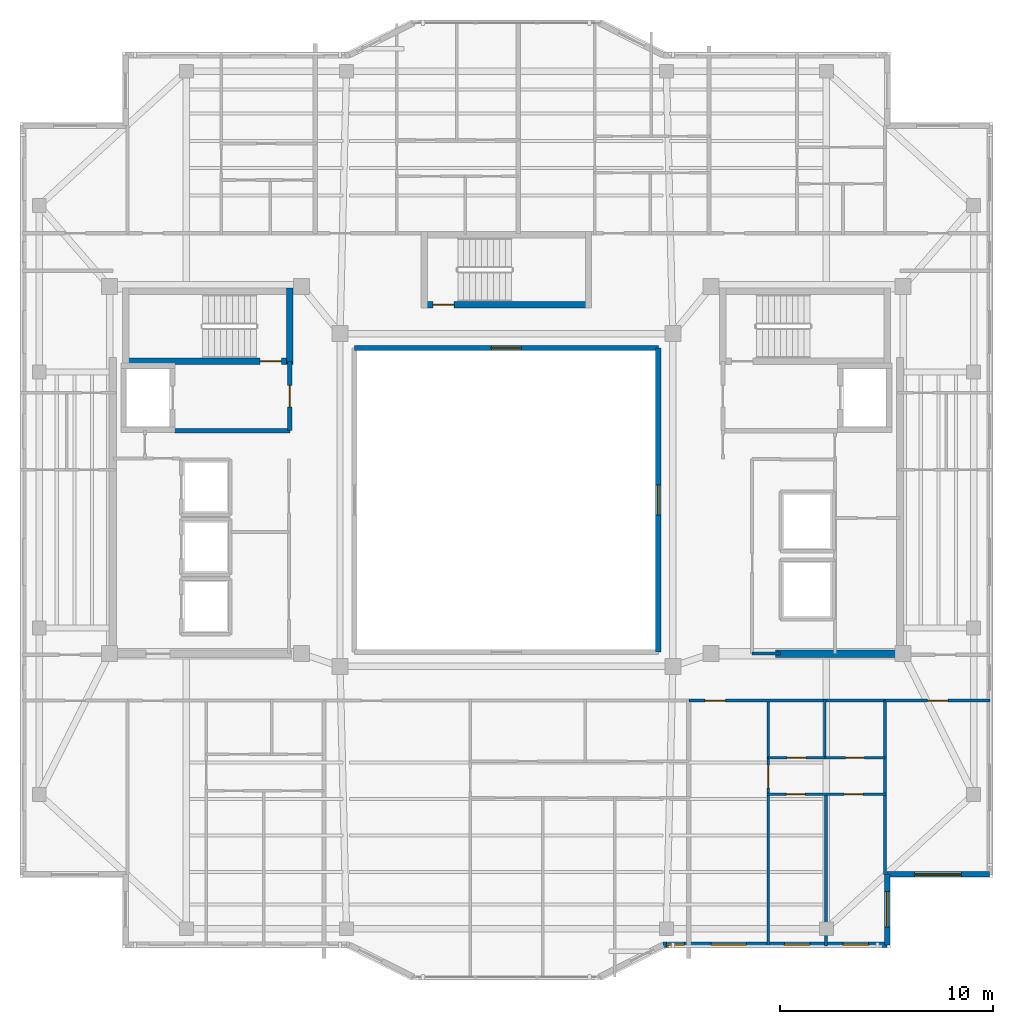
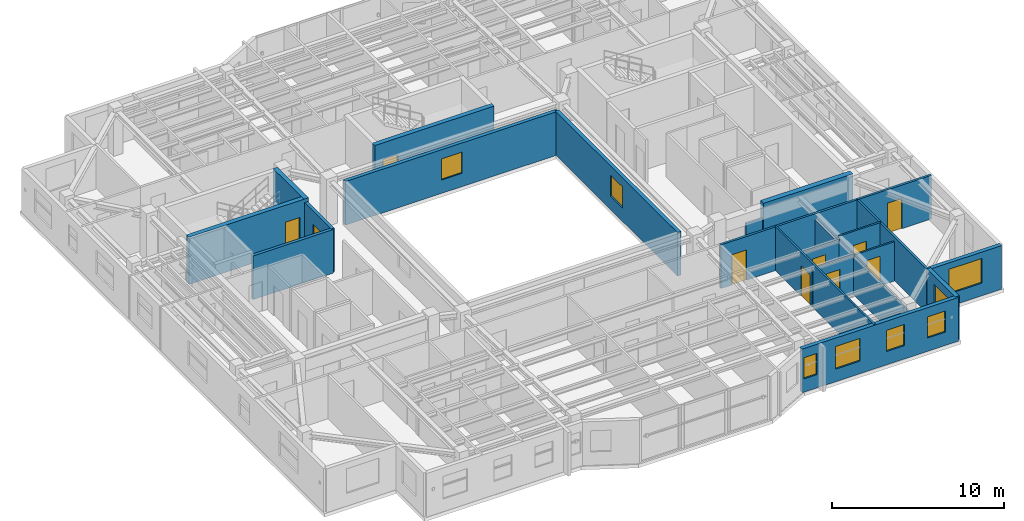
# One storey, part 8 of 15: 21 walls, 10 doors, 8 windows, 18 openings.
"""IFC4 building model written with IfcOpenShell, lengths in metres."""

from ifc_helpers import new_model, si_unit, direction, frame, frame_2d, origin, place, context, subcontext, project, spatial, rectangle, extrude, material, layer, layer_set, type_object, element, fill, save


model = new_model("IFC4")

# Units and contexts
model_context = context("Model", 3, precision=1e-05, world=origin(), true_north=direction((0.0, 1.0)))
body_context = subcontext(model_context, "Body", "Model", "MODEL_VIEW")
ifc_project = project(units=[si_unit("LENGTHUNIT", "METRE"), si_unit("AREAUNIT", "SQUARE_METRE"), si_unit("VOLUMEUNIT", "CUBIC_METRE"), si_unit("PLANEANGLEUNIT", "RADIAN"), si_unit("MASSUNIT", "GRAM", prefix="KILO")], contexts=[model_context])

# Site, building, storey
site_placement = place(None, origin())
site = spatial("IfcSite", under=ifc_project, at=site_placement, CompositionType="ELEMENT")
building_placement = place(site_placement, origin())
building = spatial("IfcBuilding", under=site, at=building_placement, Name="Tarnavaz Court Tower", CompositionType="ELEMENT")
storey_placement = place(building_placement, frame((0.0, 0.0, 241.5)))
storey = spatial("IfcBuildingStorey", under=building, at=storey_placement, Name="L65", CompositionType="ELEMENT", Elevation=241.5)

# Wall, opening, door
ifc_material_1 = material(Name="Concrete C50/60", Category="concrete")
ifc_layer_1 = layer(ifc_material_1, 0.300048828125)
ifc_layer_set_1 = layer_set([ifc_layer_1], Name="Concrete C50/60")
wall_type_1 = type_object("IfcWallType", Name="WL-CORE-300-C50", PredefinedType="SHEAR", material=ifc_layer_set_1)
wall_1_placement = place(storey_placement, frame((-18.0, 6.5, 0.0), z_axis=(0.0, 0.0, 1.0), x_axis=(1.0, 0.0, 0.0)))
wall_1 = element("IfcWall", 1, at=wall_1_placement, inside=storey, type_object=wall_type_1, Name="L65 West Stair Core Wall 002", PredefinedType="SHEAR", context=body_context, shape_type="SweptSolid", body=[
    extrude(rectangle(XDim=8.0, YDim=0.300048828125, at=frame_2d((4.0, 0.0))), origin(), (0.0, 0.0, 1.0), 3.35009765625),
])
opening_1_placement = place(wall_1_placement, frame((6.449951171875, 0.0, 0.0)))
opening_1 = element("IfcOpeningElement", 2, at=opening_1_placement, cuts=wall_1, Name="Opening D01", PredefinedType="OPENING", context=body_context, shape_type="SweptSolid", body=[
    extrude(rectangle(XDim=1.0, YDim=2.14990234375, at=frame_2d((0.5, 1.074951171875))), frame((0.0, 0.159912109375, 0.0), z_axis=(0.0, -1.0, 0.0), x_axis=(1.0, 0.0, 0.0)), (0.0, 0.0, 1.0), 0.320068359375),
])
ifc_material_2 = material(Name="Fire-Rated Hardwood Timber Core", Category="wood")
door_type_1 = type_object("IfcDoorType", Name="DR-FD90-1000", OperationType="NOTDEFINED", PredefinedType="DOOR", material=ifc_material_2)
door_1_placement = place(opening_1_placement, origin())
door_1 = element("IfcDoor", 3, at=door_1_placement, inside=storey, type_object=door_type_1, Name="L65 Stair ST-W1 Exit Door", OperationType="SINGLE_SWING_LEFT", OverallHeight=2.14990234375, OverallWidth=1.0, PredefinedType="DOOR", context=body_context, shape_type="SweptSolid", body=[
    extrude(rectangle(XDim=1.0, YDim=2.14990234375, at=frame_2d((0.5, 1.074951171875))), frame((0.0, 0.02490234375, 0.0), z_axis=(0.0, -1.0, 0.0), x_axis=(1.0, 0.0, 0.0)), (0.0, 0.0, 1.0), 0.050048828125),
])
fill(opening_1, door_1)

# Wall
wall_2_placement = place(storey_placement, frame((-10.14990234375, 6.35009765625, 0.0), z_axis=(0.0, 0.0, 1.0), x_axis=(0.0, 1.0, 0.0)))
element("IfcWall", 4, at=wall_2_placement, inside=storey, type_object=wall_type_1, Name="L65 West Stair Core Wall 004", PredefinedType="SHEAR", context=body_context, shape_type="SweptSolid", body=[
    extrude(rectangle(XDim=3.58984375, YDim=0.300048828125, at=frame_2d((1.794921875, 0.0))), origin(), (0.0, 0.0, 1.0), 3.35009765625),
])

# Wall, opening, door
wall_3_placement = place(storey_placement, frame((-4.0, 9.14990234375, 0.0), z_axis=(0.0, 0.0, 1.0), x_axis=(1.0, 0.0, 0.0)))
wall_3 = element("IfcWall", 5, at=wall_3_placement, inside=storey, type_object=wall_type_1, Name="L65 North Stair Core Wall 010", PredefinedType="SHEAR", context=body_context, shape_type="SweptSolid", body=[
    extrude(rectangle(XDim=8.0, YDim=0.300048828125, at=frame_2d((4.0, 0.0))), origin(), (0.0, 0.0, 1.0), 3.35009765625),
])
opening_2_placement = place(wall_3_placement, frame((0.550048828125, 0.0, 0.0)))
opening_2 = element("IfcOpeningElement", 6, at=opening_2_placement, cuts=wall_3, Name="Opening D01", PredefinedType="OPENING", context=body_context, shape_type="SweptSolid", body=[
    extrude(rectangle(XDim=1.0, YDim=2.14990234375, at=frame_2d((0.5, 1.074951171875))), frame((0.0, 0.159912109375, 0.0), z_axis=(0.0, -1.0, 0.0), x_axis=(1.0, 0.0, 0.0)), (0.0, 0.0, 1.0), 0.320068359375),
])
door_2_placement = place(opening_2_placement, origin())
door_2 = element("IfcDoor", 7, at=door_2_placement, inside=storey, type_object=door_type_1, Name="L65 Stair ST-N1 Exit Door", OperationType="SINGLE_SWING_LEFT", OverallHeight=2.14990234375, OverallWidth=1.0, PredefinedType="DOOR", context=body_context, shape_type="SweptSolid", body=[
    extrude(rectangle(XDim=1.0, YDim=2.14990234375, at=frame_2d((0.5, 1.074951171875))), frame((0.0, 0.02490234375, 0.0), z_axis=(0.0, -1.0, 0.0), x_axis=(1.0, 0.0, 0.0)), (0.0, 0.0, 1.0), 0.050048828125),
])
fill(opening_2, door_2)

# Wall
ifc_layer_2 = layer(ifc_material_1, 0.35009765625)
ifc_layer_set_2 = layer_set([ifc_layer_2], Name="Concrete C50/60")
wall_type_2 = type_object("IfcWallType", Name="WL-CORE-350-C50", PredefinedType="SHEAR", material=ifc_layer_set_2)
wall_4_placement = place(storey_placement, frame((12.625, -7.199951171875, 0.0), z_axis=(0.0, 0.0, 1.0), x_axis=(1.0, 0.0, 0.0)))
element("IfcWall", 8, at=wall_4_placement, inside=storey, type_object=wall_type_2, Name="L65 East Core South Shear Wall 048", PredefinedType="SHEAR", context=body_context, shape_type="SweptSolid", body=[
    extrude(rectangle(XDim=6.0, YDim=0.35009765625, at=frame_2d((3.0, 0.0))), origin(), (0.0, 0.0, 1.0), 3.35009765625),
])

# Wall, opening, window
ifc_material_3 = material(Name="Precast Concrete C40/50", Category="concrete")
ifc_layer_3 = layer(ifc_material_3, 0.260009765625)
ifc_layer_set_3 = layer_set([ifc_layer_3], Name="Precast Concrete C40/50")
wall_type_3 = type_object("IfcWallType", Name="WL-EXT-260", PredefinedType="SOLIDWALL", material=ifc_layer_set_3)
wall_5_placement = place(storey_placement, frame((22.64990234375, -17.550048828125, 0.0), z_axis=(0.0, 0.0, 1.0), x_axis=(-1.0, 0.0, 0.0)))
wall_5 = element("IfcWall", 9, at=wall_5_placement, inside=storey, type_object=wall_type_3, Name="L65 Exterior Terracotta Facade Wall 13", PredefinedType="SOLIDWALL", context=body_context, shape_type="SweptSolid", body=[
    extrude(rectangle(XDim=4.7998046875, YDim=0.260009765625, at=frame_2d((2.39990234375, 0.0))), origin(), (0.0, 0.0, 1.0), 3.10009765625),
])
opening_3_placement = place(wall_5_placement, frame((1.3251953125, 0.0, 0.89990234375)))
opening_3 = element("IfcOpeningElement", 10, at=opening_3_placement, cuts=wall_5, Name="Opening W07", PredefinedType="OPENING", context=body_context, shape_type="SweptSolid", body=[
    extrude(rectangle(XDim=2.199951171875, YDim=1.75, at=frame_2d((1.10009765625, 0.875))), frame((0.0, 0.139892578125, 0.0), z_axis=(0.0, -1.0, 0.0), x_axis=(1.0, 0.0, 0.0)), (0.0, 0.0, 1.0), 0.280029296875),
])
ifc_material_4 = material(Name="Double-Glazed Solar Low-E Glass", Category="glass")
window_type_1 = type_object("IfcWindowType", Name="WN-APT-2200", PartitioningType="TRIPLE_PANEL_VERTICAL", PredefinedType="WINDOW", material=ifc_material_4)
window_1_placement = place(opening_3_placement, origin())
window_1 = element("IfcWindow", 11, at=window_1_placement, inside=storey, type_object=window_type_1, Name="L65 South-East Corner Reading Room Window", OverallHeight=1.75, OverallWidth=2.199951171875, PartitioningType="SINGLE_PANEL", PredefinedType="WINDOW", context=body_context, shape_type="SweptSolid", body=[
    extrude(rectangle(XDim=2.199951171875, YDim=1.75, at=frame_2d((1.10009765625, 0.875))), frame((0.0, 0.030029296875, 0.0), z_axis=(0.0, -1.0, 0.0), x_axis=(1.0, 0.0, 0.0)), (0.0, 0.0, 1.0), 0.06005859375),
])
fill(opening_3, window_1)

wall_6_placement = place(storey_placement, frame((17.85009765625, -17.550048828125, 0.0), z_axis=(0.0, 0.0, 1.0), x_axis=(0.0, -1.0, 0.0)))
wall_6 = element("IfcWall", 12, at=wall_6_placement, inside=storey, type_object=wall_type_3, Name="L65 Exterior Terracotta Facade Wall 14", PredefinedType="SOLIDWALL", context=body_context, shape_type="SweptSolid", body=[
    extrude(rectangle(XDim=3.300048828125, YDim=0.260009765625, at=frame_2d((1.64990234375, 0.0))), origin(), (0.0, 0.0, 1.0), 3.10009765625),
])
opening_4_placement = place(wall_6_placement, frame((0.8076171875, 0.0, 0.89990234375)))
opening_4 = element("IfcOpeningElement", 13, at=opening_4_placement, cuts=wall_6, Name="Opening W02", PredefinedType="OPENING", context=body_context, shape_type="SweptSolid", body=[
    extrude(rectangle(XDim=1.64990234375, YDim=1.60009765625, at=frame_2d((0.824951171875, 0.800048828125))), frame((0.0, 0.139892578125, 0.0), z_axis=(0.0, -1.0, 0.0), x_axis=(1.0, 0.0, 0.0)), (0.0, 0.0, 1.0), 0.280029296875),
])
window_type_2 = type_object("IfcWindowType", Name="WN-APT-1650", PartitioningType="DOUBLE_PANEL_VERTICAL", PredefinedType="WINDOW", material=ifc_material_4)
window_2_placement = place(opening_4_placement, origin())
window_2 = element("IfcWindow", 14, at=window_2_placement, inside=storey, type_object=window_type_2, Name="L65 Flat 06 Bedroom 2 Window", OverallHeight=1.60009765625, OverallWidth=1.64990234375, PartitioningType="SINGLE_PANEL", PredefinedType="WINDOW", context=body_context, shape_type="SweptSolid", body=[
    extrude(rectangle(XDim=1.64990234375, YDim=1.60009765625, at=frame_2d((0.824951171875, 0.800048828125))), frame((0.0, 0.030029296875, 0.0), z_axis=(0.0, -1.0, 0.0), x_axis=(1.0, 0.0, 0.0)), (0.0, 0.0, 1.0), 0.06005859375),
])
fill(opening_4, window_2)

# Wall, openings, windows
wall_7_placement = place(storey_placement, frame((17.85009765625, -20.85009765625, 0.0), z_axis=(0.0, 0.0, 1.0), x_axis=(-1.0, 0.0, 0.0)))
wall_7 = element("IfcWall", 15, at=wall_7_placement, inside=storey, type_object=wall_type_3, Name="L65 Exterior Terracotta Facade Wall 15", PredefinedType="SOLIDWALL", context=body_context, shape_type="SweptSolid", body=[
    extrude(rectangle(XDim=10.5, YDim=0.260009765625, at=frame_2d((5.25, 0.0))), origin(), (0.0, 0.0, 1.0), 3.10009765625),
])
opening_5_placement = place(wall_7_placement, frame((0.875, 0.0, 0.949951171875)))
opening_5 = element("IfcOpeningElement", 16, at=opening_5_placement, cuts=wall_7, Name="Opening W05", PredefinedType="OPENING", context=body_context, shape_type="SweptSolid", body=[
    extrude(rectangle(XDim=1.199951171875, YDim=1.5, at=frame_2d((0.60009765625, 0.75))), frame((0.0, 0.139892578125, 0.0), z_axis=(0.0, -1.0, 0.0), x_axis=(1.0, 0.0, 0.0)), (0.0, 0.0, 1.0), 0.280029296875),
])
opening_6_placement = place(wall_7_placement, frame((3.625, 0.0, 0.949951171875)))
opening_6 = element("IfcOpeningElement", 17, at=opening_6_placement, cuts=wall_7, Name="Opening W05", PredefinedType="OPENING", context=body_context, shape_type="SweptSolid", body=[
    extrude(rectangle(XDim=1.199951171875, YDim=1.5, at=frame_2d((0.60009765625, 0.75))), frame((0.0, 0.139892578125, 0.0), z_axis=(0.0, -1.0, 0.0), x_axis=(1.0, 0.0, 0.0)), (0.0, 0.0, 1.0), 0.280029296875),
])
opening_7_placement = place(wall_7_placement, frame((6.60009765625, 0.0, 0.89990234375)))
opening_7 = element("IfcOpeningElement", 18, at=opening_7_placement, cuts=wall_7, Name="Opening W02", PredefinedType="OPENING", context=body_context, shape_type="SweptSolid", body=[
    extrude(rectangle(XDim=1.64990234375, YDim=1.60009765625, at=frame_2d((0.824951171875, 0.800048828125))), frame((0.0, 0.139892578125, 0.0), z_axis=(0.0, -1.0, 0.0), x_axis=(1.0, 0.0, 0.0)), (0.0, 0.0, 1.0), 0.280029296875),
])
opening_8_placement = place(wall_7_placement, frame((9.5048828125, 0.0, 0.949951171875)))
opening_8 = element("IfcOpeningElement", 19, at=opening_8_placement, cuts=wall_7, Name="Opening W15", PredefinedType="OPENING", context=body_context, shape_type="SweptSolid", body=[
    extrude(rectangle(XDim=0.85009765625, YDim=1.5, at=frame_2d((0.425048828125, 0.75))), frame((0.0, 0.139892578125, 0.0), z_axis=(0.0, -1.0, 0.0), x_axis=(1.0, 0.0, 0.0)), (0.0, 0.0, 1.0), 0.280029296875),
])
window_type_3 = type_object("IfcWindowType", Name="WN-APT-1200", PartitioningType="SINGLE_PANEL", PredefinedType="WINDOW", material=ifc_material_4)
window_3_placement = place(opening_5_placement, origin())
window_3 = element("IfcWindow", 20, at=window_3_placement, inside=storey, type_object=window_type_3, Name="L65 Flat 06 Bedroom 2 Window", OverallHeight=1.5, OverallWidth=1.199951171875, PartitioningType="SINGLE_PANEL", PredefinedType="WINDOW", context=body_context, shape_type="SweptSolid", body=[
    extrude(rectangle(XDim=1.199951171875, YDim=1.5, at=frame_2d((0.60009765625, 0.75))), frame((0.0, 0.030029296875, 0.0), z_axis=(0.0, -1.0, 0.0), x_axis=(1.0, 0.0, 0.0)), (0.0, 0.0, 1.0), 0.06005859375),
])
fill(opening_5, window_3)
window_4_placement = place(opening_6_placement, origin())
window_4 = element("IfcWindow", 21, at=window_4_placement, inside=storey, type_object=window_type_3, Name="L65 Flat 06 Principal Bedroom Window", OverallHeight=1.5, OverallWidth=1.199951171875, PartitioningType="SINGLE_PANEL", PredefinedType="WINDOW", context=body_context, shape_type="SweptSolid", body=[
    extrude(rectangle(XDim=1.199951171875, YDim=1.5, at=frame_2d((0.60009765625, 0.75))), frame((0.0, 0.030029296875, 0.0), z_axis=(0.0, -1.0, 0.0), x_axis=(1.0, 0.0, 0.0)), (0.0, 0.0, 1.0), 0.06005859375),
])
fill(opening_6, window_4)
window_5_placement = place(opening_7_placement, origin())
window_5 = element("IfcWindow", 22, at=window_5_placement, inside=storey, type_object=window_type_2, Name="L65 Flat 06 Living and Dining Room Window", OverallHeight=1.60009765625, OverallWidth=1.64990234375, PartitioningType="SINGLE_PANEL", PredefinedType="WINDOW", context=body_context, shape_type="SweptSolid", body=[
    extrude(rectangle(XDim=1.64990234375, YDim=1.60009765625, at=frame_2d((0.824951171875, 0.800048828125))), frame((0.0, 0.030029296875, 0.0), z_axis=(0.0, -1.0, 0.0), x_axis=(1.0, 0.0, 0.0)), (0.0, 0.0, 1.0), 0.06005859375),
])
fill(opening_7, window_5)
window_type_4 = type_object("IfcWindowType", Name="WN-APT-850", PartitioningType="SINGLE_PANEL", PredefinedType="WINDOW", material=ifc_material_4)
window_6_placement = place(opening_8_placement, origin())
window_6 = element("IfcWindow", 23, at=window_6_placement, inside=storey, type_object=window_type_4, Name="L65 Flat 07 Bedroom 3 Window", OverallHeight=1.5, OverallWidth=0.85009765625, PartitioningType="SINGLE_PANEL", PredefinedType="WINDOW", context=body_context, shape_type="SweptSolid", body=[
    extrude(rectangle(XDim=0.85009765625, YDim=1.5, at=frame_2d((0.425048828125, 0.75))), frame((0.0, 0.030029296875, 0.0), z_axis=(0.0, -1.0, 0.0), x_axis=(1.0, 0.0, 0.0)), (0.0, 0.0, 1.0), 0.06005859375),
])
fill(opening_8, window_6)

# Wall, opening, door
ifc_material_5 = material(Name="Gypsum Fire-Board on Acoustic Metal Stud", Category="masonry")
ifc_layer_4 = layer(ifc_material_5, 0.14990234375)
ifc_layer_set_4 = layer_set([ifc_layer_4], Name="Gypsum Fire-Board on Acoustic Metal Stud")
wall_type_4 = type_object("IfcWallType", Name="WL-FIRE-150", PredefinedType="PARTITIONING", material=ifc_layer_set_4)
wall_8_placement = place(storey_placement, frame((8.550048828125, -9.39990234375, 0.0), z_axis=(0.0, 0.0, 1.0), x_axis=(1.0, 0.0, 0.0)))
wall_8 = element("IfcWall", 24, at=wall_8_placement, inside=storey, type_object=wall_type_4, Name="L65 SE Lobby Wall 063", PredefinedType="PARTITIONING", context=body_context, shape_type="SweptSolid", body=[
    extrude(rectangle(XDim=9.199951171875, YDim=0.14990234375, at=frame_2d((4.60009765625, 0.0))), origin(), (0.0, 0.0, 1.0), 3.10009765625),
])
opening_9_placement = place(wall_8_placement, frame((0.75, 0.0, 0.0)))
opening_9 = element("IfcOpeningElement", 25, at=opening_9_placement, cuts=wall_8, Name="Opening D06", PredefinedType="OPENING", context=body_context, shape_type="SweptSolid", body=[
    extrude(rectangle(XDim=0.9599609375, YDim=2.14990234375, at=frame_2d((0.47998046875, 1.074951171875))), frame((0.0, 0.0849609375, 0.0), z_axis=(0.0, -1.0, 0.0), x_axis=(1.0, 0.0, 0.0)), (0.0, 0.0, 1.0), 0.169921875),
])
door_type_2 = type_object("IfcDoorType", Name="DR-FD60-950", OperationType="NOTDEFINED", PredefinedType="DOOR", material=ifc_material_2)
door_3_placement = place(opening_9_placement, origin())
door_3 = element("IfcDoor", 26, at=door_3_placement, inside=storey, type_object=door_type_2, Name="L65 Flat 06 Entrance Door", OperationType="SINGLE_SWING_RIGHT", OverallHeight=2.14990234375, OverallWidth=0.9599609375, PredefinedType="DOOR", context=body_context, shape_type="SweptSolid", body=[
    extrude(rectangle(XDim=0.9599609375, YDim=2.14990234375, at=frame_2d((0.47998046875, 1.074951171875))), frame((0.0, 0.02490234375, 0.0), z_axis=(0.0, -1.0, 0.0), x_axis=(1.0, 0.0, 0.0)), (0.0, 0.0, 1.0), 0.050048828125),
])
fill(opening_9, door_3)

wall_9_placement = place(storey_placement, frame((17.75, -9.39990234375, 0.0), z_axis=(0.0, 0.0, 1.0), x_axis=(1.0, 0.0, 0.0)))
wall_9 = element("IfcWall", 27, at=wall_9_placement, inside=storey, type_object=wall_type_4, Name="L65 Interior Partition 122", PredefinedType="PARTITIONING", context=body_context, shape_type="SweptSolid", body=[
    extrude(rectangle(XDim=4.929931640625, YDim=0.14990234375, at=frame_2d((2.46484375, 0.0))), origin(), (0.0, 0.0, 1.0), 3.10009765625),
])
opening_10_placement = place(wall_9_placement, frame((1.989990234375, 0.0, 0.0)))
opening_10 = element("IfcOpeningElement", 28, at=opening_10_placement, cuts=wall_9, Name="Opening D13", PredefinedType="OPENING", context=body_context, shape_type="SweptSolid", body=[
    extrude(rectangle(XDim=0.949951171875, YDim=2.14990234375, at=frame_2d((0.47509765625, 1.074951171875))), frame((0.0, 0.0849609375, 0.0), z_axis=(0.0, -1.0, 0.0), x_axis=(1.0, 0.0, 0.0)), (0.0, 0.0, 1.0), 0.169921875),
])
ifc_material_6 = material(Name="Engineered Oak Timber", Category="wood")
door_type_3 = type_object("IfcDoorType", Name="DR-INT-950", OperationType="NOTDEFINED", PredefinedType="DOOR", material=ifc_material_6)
door_4_placement = place(opening_10_placement, origin())
door_4 = element("IfcDoor", 29, at=door_4_placement, inside=storey, type_object=door_type_3, Name="L65 SE Reading Room Door", OperationType="SINGLE_SWING_RIGHT", OverallHeight=2.14990234375, OverallWidth=0.949951171875, PredefinedType="DOOR", context=body_context, shape_type="SweptSolid", body=[
    extrude(rectangle(XDim=0.949951171875, YDim=2.14990234375, at=frame_2d((0.47509765625, 1.074951171875))), frame((0.0, 0.02490234375, 0.0), z_axis=(0.0, -1.0, 0.0), x_axis=(1.0, 0.0, 0.0)), (0.0, 0.0, 1.0), 0.050048828125),
])
fill(opening_10, door_4)

# Wall
ifc_material_7 = material(Name="Autoclaved Aerated Concrete Blockwork", Category="masonry")
ifc_layer_5 = layer(ifc_material_7, 0.199951171875)
ifc_layer_set_5 = layer_set([ifc_layer_5], Name="Autoclaved Aerated Concrete Blockwork")
wall_type_5 = type_object("IfcWallType", Name="WL-FIRE-200", PredefinedType="SOLIDWALL", material=ifc_layer_set_5)
wall_10_placement = place(storey_placement, frame((-15.550048828125, 3.25, 0.0), z_axis=(0.0, 0.0, 1.0), x_axis=(1.0, 0.0, 0.0)))
element("IfcWall", 30, at=wall_10_placement, inside=storey, type_object=wall_type_5, Name="L65 West Firefighting Lobby Wall 013", PredefinedType="SOLIDWALL", context=body_context, shape_type="SweptSolid", body=[
    extrude(rectangle(XDim=5.400146484375, YDim=0.199951171875, at=frame_2d((2.7001953125, 0.0))), origin(), (0.0, 0.0, 1.0), 3.10009765625),
])

# Wall, opening, door
wall_11_placement = place(storey_placement, frame((-10.14990234375, 3.25, 0.0), z_axis=(0.0, 0.0, 1.0), x_axis=(0.0, 1.0, 0.0)))
wall_11 = element("IfcWall", 31, at=wall_11_placement, inside=storey, type_object=wall_type_5, Name="L65 West Firefighting Lobby Wall 014", PredefinedType="SOLIDWALL", context=body_context, shape_type="SweptSolid", body=[
    extrude(rectangle(XDim=3.25, YDim=0.199951171875, at=frame_2d((1.625, 0.0))), origin(), (0.0, 0.0, 1.0), 3.10009765625),
])
opening_11_placement = place(wall_11_placement, frame((1.10009765625, 0.0, 0.0)))
opening_11 = element("IfcOpeningElement", 32, at=opening_11_placement, cuts=wall_11, Name="Opening D05", PredefinedType="OPENING", context=body_context, shape_type="SweptSolid", body=[
    extrude(rectangle(XDim=1.02001953125, YDim=2.14990234375, at=frame_2d((0.510009765625, 1.074951171875))), frame((0.0, 0.10986328125, 0.0), z_axis=(0.0, -1.0, 0.0), x_axis=(1.0, 0.0, 0.0)), (0.0, 0.0, 1.0), 0.219970703125),
])
door_type_4 = type_object("IfcDoorType", Name="DR-FD60-1000", OperationType="NOTDEFINED", PredefinedType="DOOR", material=ifc_material_2)
door_5_placement = place(opening_11_placement, origin())
door_5 = element("IfcDoor", 33, at=door_5_placement, inside=storey, type_object=door_type_4, Name="L65 West Firefighting Lobby Door", OperationType="SINGLE_SWING_RIGHT", OverallHeight=2.14990234375, OverallWidth=1.02001953125, PredefinedType="DOOR", context=body_context, shape_type="SweptSolid", body=[
    extrude(rectangle(XDim=1.02001953125, YDim=2.14990234375, at=frame_2d((0.510009765625, 1.074951171875))), frame((0.0, 0.02490234375, 0.0), z_axis=(0.0, -1.0, 0.0), x_axis=(1.0, 0.0, 0.0)), (0.0, 0.0, 1.0), 0.050048828125),
])
fill(opening_11, door_5)

ifc_material_8 = material(Name="Moisture-Resistant Gypsum Board Partition", Category="masonry")
ifc_layer_6 = layer(ifc_material_8, 0.1201171875)
ifc_layer_set_6 = layer_set([ifc_layer_6], Name="Moisture-Resistant Gypsum Board Partition")
wall_type_6 = type_object("IfcWallType", Name="WL-PART-120", PredefinedType="PARTITIONING", material=ifc_layer_set_6)
wall_12_placement = place(storey_placement, frame((12.27197265625, -20.89990234375, 0.0), z_axis=(0.0, 0.0, 1.0), x_axis=(0.0, 1.0, 0.0)))
wall_12 = element("IfcWall", 34, at=wall_12_placement, inside=storey, type_object=wall_type_6, Name="L65 Interior Partition 095", PredefinedType="PARTITIONING", context=body_context, shape_type="SweptSolid", body=[
    extrude(rectangle(XDim=11.559814453125, YDim=0.1201171875, at=frame_2d((5.77978515625, 0.0))), origin(), (0.0, 0.0, 1.0), 3.10009765625),
])
opening_12_placement = place(wall_12_placement, frame((7.39501953125, 0.0, 0.0)))
opening_12 = element("IfcOpeningElement", 35, at=opening_12_placement, cuts=wall_12, Name="Opening D12", PredefinedType="OPENING", context=body_context, shape_type="SweptSolid", body=[
    extrude(rectangle(XDim=1.080078125, YDim=2.14990234375, at=frame_2d((0.5400390625, 1.074951171875))), frame((0.0, 0.070068359375, 0.0), z_axis=(0.0, -1.0, 0.0), x_axis=(1.0, 0.0, 0.0)), (0.0, 0.0, 1.0), 0.14013671875),
])
door_type_5 = type_object("IfcDoorType", Name="DR-INT-1100", OperationType="NOTDEFINED", PredefinedType="DOOR", material=ifc_material_6)
door_6_placement = place(opening_12_placement, origin())
door_6 = element("IfcDoor", 36, at=door_6_placement, inside=storey, type_object=door_type_5, Name="L65 Flat 06 Foyer Door", OperationType="SINGLE_SWING_LEFT", OverallHeight=2.14990234375, OverallWidth=1.080078125, PredefinedType="DOOR", context=body_context, shape_type="SweptSolid", body=[
    extrude(rectangle(XDim=1.080078125, YDim=2.14990234375, at=frame_2d((0.5400390625, 1.074951171875))), frame((0.0, 0.02490234375, 0.0), z_axis=(0.0, -1.0, 0.0), x_axis=(1.0, 0.0, 0.0)), (0.0, 0.0, 1.0), 0.050048828125),
])
fill(opening_12, door_6)

wall_13_placement = place(storey_placement, frame((12.27197265625, -12.080078125, 0.0), z_axis=(0.0, 0.0, 1.0), x_axis=(1.0, 0.0, 0.0)))
wall_13 = element("IfcWall", 37, at=wall_13_placement, inside=storey, type_object=wall_type_6, Name="L65 Interior Partition 096", PredefinedType="PARTITIONING", context=body_context, shape_type="SweptSolid", body=[
    extrude(rectangle(XDim=2.655029296875, YDim=0.1201171875, at=frame_2d((1.32763671875, 0.0))), origin(), (0.0, 0.0, 1.0), 2.784912109375),
])
opening_13_placement = place(wall_13_placement, frame((0.886962890625, 0.0, 0.0)))
opening_13 = element("IfcOpeningElement", 38, at=opening_13_placement, cuts=wall_13, Name="Opening D14", PredefinedType="OPENING", context=body_context, shape_type="SweptSolid", body=[
    extrude(rectangle(XDim=0.8798828125, YDim=2.10009765625, at=frame_2d((0.43994140625, 1.050048828125))), frame((0.0, 0.070068359375, 0.0), z_axis=(0.0, -1.0, 0.0), x_axis=(1.0, 0.0, 0.0)), (0.0, 0.0, 1.0), 0.14013671875),
])
door_type_6 = type_object("IfcDoorType", Name="DR-INT-900", OperationType="NOTDEFINED", PredefinedType="DOOR", material=ifc_material_6)
door_7_placement = place(opening_13_placement, origin())
door_7 = element("IfcDoor", 39, at=door_7_placement, inside=storey, type_object=door_type_6, Name="L65 Flat 06 Kitchen Door", OperationType="SINGLE_SWING_RIGHT", OverallHeight=2.10009765625, OverallWidth=0.8798828125, PredefinedType="DOOR", context=body_context, shape_type="SweptSolid", body=[
    extrude(rectangle(XDim=0.8798828125, YDim=2.10009765625, at=frame_2d((0.43994140625, 1.050048828125))), frame((0.0, 0.02490234375, 0.0), z_axis=(0.0, -1.0, 0.0), x_axis=(1.0, 0.0, 0.0)), (0.0, 0.0, 1.0), 0.050048828125),
])
fill(opening_13, door_7)

wall_14_placement = place(storey_placement, frame((14.927001953125, -12.080078125, 0.0), z_axis=(0.0, 0.0, 1.0), x_axis=(1.0, 0.0, 0.0)))
wall_14 = element("IfcWall", 40, at=wall_14_placement, inside=storey, type_object=wall_type_6, Name="L65 Interior Partition 097", PredefinedType="PARTITIONING", context=body_context, shape_type="SweptSolid", body=[
    extrude(rectangle(XDim=2.822998046875, YDim=0.1201171875, at=frame_2d((1.41162109375, 0.0))), origin(), (0.0, 0.0, 1.0), 3.10009765625),
])
opening_14_placement = place(wall_14_placement, frame((0.971923828125, 0.0, 0.0)))
opening_14 = element("IfcOpeningElement", 41, at=opening_14_placement, cuts=wall_14, Name="Opening D14", PredefinedType="OPENING", context=body_context, shape_type="SweptSolid", body=[
    extrude(rectangle(XDim=0.8798828125, YDim=2.10009765625, at=frame_2d((0.43994140625, 1.050048828125))), frame((0.0, 0.070068359375, 0.0), z_axis=(0.0, -1.0, 0.0), x_axis=(1.0, 0.0, 0.0)), (0.0, 0.0, 1.0), 0.14013671875),
])
door_8_placement = place(opening_14_placement, origin())
door_8 = element("IfcDoor", 42, at=door_8_placement, inside=storey, type_object=door_type_6, Name="L65 Flat 06 Bathroom Door", OperationType="SINGLE_SWING_LEFT", OverallHeight=2.10009765625, OverallWidth=0.8798828125, PredefinedType="DOOR", context=body_context, shape_type="SweptSolid", body=[
    extrude(rectangle(XDim=0.8798828125, YDim=2.10009765625, at=frame_2d((0.43994140625, 1.050048828125))), frame((0.0, 0.02490234375, 0.0), z_axis=(0.0, -1.0, 0.0), x_axis=(1.0, 0.0, 0.0)), (0.0, 0.0, 1.0), 0.050048828125),
])
fill(opening_14, door_8)

# Wall, openings, doors
wall_15_placement = place(storey_placement, frame((12.2119140625, -13.7900390625, 0.0), z_axis=(0.0, 0.0, 1.0), x_axis=(1.0, 0.0, 0.0)))
wall_15 = element("IfcWall", 43, at=wall_15_placement, inside=storey, type_object=wall_type_6, Name="L65 Interior Partition 098", PredefinedType="PARTITIONING", context=body_context, shape_type="SweptSolid", body=[
    extrude(rectangle(XDim=5.59814453125, YDim=0.1201171875, at=frame_2d((2.799072265625, 0.0))), origin(), (0.0, 0.0, 1.0), 2.784912109375),
])
opening_15_placement = place(wall_15_placement, frame((0.9150390625, 0.0, 0.0)))
opening_15 = element("IfcOpeningElement", 44, at=opening_15_placement, cuts=wall_15, Name="Opening D14", PredefinedType="OPENING", context=body_context, shape_type="SweptSolid", body=[
    extrude(rectangle(XDim=0.8798828125, YDim=2.10009765625, at=frame_2d((0.43994140625, 1.050048828125))), frame((0.0, 0.070068359375, 0.0), z_axis=(0.0, -1.0, 0.0), x_axis=(1.0, 0.0, 0.0)), (0.0, 0.0, 1.0), 0.14013671875),
])
opening_16_placement = place(wall_15_placement, frame((3.6240234375, 0.0, 0.0)))
opening_16 = element("IfcOpeningElement", 45, at=opening_16_placement, cuts=wall_15, Name="Opening D14", PredefinedType="OPENING", context=body_context, shape_type="SweptSolid", body=[
    extrude(rectangle(XDim=0.8798828125, YDim=2.10009765625, at=frame_2d((0.43994140625, 1.050048828125))), frame((0.0, 0.070068359375, 0.0), z_axis=(0.0, -1.0, 0.0), x_axis=(1.0, 0.0, 0.0)), (0.0, 0.0, 1.0), 0.14013671875),
])
door_9_placement = place(opening_15_placement, origin())
door_9 = element("IfcDoor", 46, at=door_9_placement, inside=storey, type_object=door_type_6, Name="L65 Flat 06 Bedroom 1 Door", OperationType="SINGLE_SWING_RIGHT", OverallHeight=2.10009765625, OverallWidth=0.8798828125, PredefinedType="DOOR", context=body_context, shape_type="SweptSolid", body=[
    extrude(rectangle(XDim=0.8798828125, YDim=2.10009765625, at=frame_2d((0.43994140625, 1.050048828125))), frame((0.0, 0.02490234375, 0.0), z_axis=(0.0, -1.0, 0.0), x_axis=(1.0, 0.0, 0.0)), (0.0, 0.0, 1.0), 0.050048828125),
])
fill(opening_15, door_9)
door_10_placement = place(opening_16_placement, origin())
door_10 = element("IfcDoor", 47, at=door_10_placement, inside=storey, type_object=door_type_6, Name="L65 Flat 06 Bedroom 2 Door", OperationType="SINGLE_SWING_LEFT", OverallHeight=2.10009765625, OverallWidth=0.8798828125, PredefinedType="DOOR", context=body_context, shape_type="SweptSolid", body=[
    extrude(rectangle(XDim=0.8798828125, YDim=2.10009765625, at=frame_2d((0.43994140625, 1.050048828125))), frame((0.0, 0.02490234375, 0.0), z_axis=(0.0, -1.0, 0.0), x_axis=(1.0, 0.0, 0.0)), (0.0, 0.0, 1.0), 0.050048828125),
])
fill(opening_16, door_10)

# Walls
wall_16_placement = place(storey_placement, frame((14.927001953125, -12.139892578125, 0.0), z_axis=(0.0, 0.0, 1.0), x_axis=(0.0, 1.0, 0.0)))
element("IfcWall", 48, at=wall_16_placement, inside=storey, type_object=wall_type_6, Name="L65 Interior Partition 099", PredefinedType="PARTITIONING", context=body_context, shape_type="SweptSolid", body=[
    extrude(rectangle(XDim=2.7998046875, YDim=0.1201171875, at=frame_2d((1.39990234375, 0.0))), origin(), (0.0, 0.0, 1.0), 2.68505859375),
])
wall_17_placement = place(storey_placement, frame((14.98095703125, -20.89990234375, 0.0), z_axis=(0.0, 0.0, 1.0), x_axis=(0.0, 1.0, 0.0)))
element("IfcWall", 49, at=wall_17_placement, inside=storey, type_object=wall_type_6, Name="L65 Interior Partition 100", PredefinedType="PARTITIONING", context=body_context, shape_type="SweptSolid", body=[
    extrude(rectangle(XDim=7.169921875, YDim=0.1201171875, at=frame_2d((3.5849609375, 0.0))), origin(), (0.0, 0.0, 1.0), 2.68505859375),
])
ifc_material_9 = material(Name="Gypsum Plasterboard Acoustic Partition", Category="masonry")
ifc_layer_7 = layer(ifc_material_9, 0.139892578125)
ifc_layer_set_7 = layer_set([ifc_layer_7], Name="Gypsum Plasterboard Acoustic Partition")
wall_type_7 = type_object("IfcWallType", Name="WL-PART-150", PredefinedType="PARTITIONING", material=ifc_layer_set_7)
wall_18_placement = place(storey_placement, frame((11.52001953125, -7.199951171875, 0.0), z_axis=(0.0, 0.0, 1.0), x_axis=(1.0, 0.0, 0.0)))
element("IfcWall", 50, at=wall_18_placement, inside=storey, type_object=wall_type_7, Name="L65 Interior Partition 059", PredefinedType="PARTITIONING", context=body_context, shape_type="SweptSolid", body=[
    extrude(rectangle(XDim=1.330078125, YDim=0.139892578125, at=frame_2d((0.6650390625, 0.0))), origin(), (0.0, 0.0, 1.0), 2.235107421875),
])
wall_19_placement = place(storey_placement, frame((17.75, -17.550048828125, 0.0), z_axis=(0.0, 0.0, 1.0), x_axis=(0.0, 1.0, 0.0)))
element("IfcWall", 51, at=wall_19_placement, inside=storey, type_object=wall_type_7, Name="L65 Interior Partition 116", PredefinedType="PARTITIONING", context=body_context, shape_type="SweptSolid", body=[
    extrude(rectangle(XDim=8.150146484375, YDim=0.139892578125, at=frame_2d((4.0751953125, 0.0))), origin(), (0.0, 0.0, 1.0), 3.10009765625),
])

# Wall, opening, window
ifc_layer_8 = layer(ifc_material_3, 0.239990234375)
ifc_layer_set_8 = layer_set([ifc_layer_8], Name="Precast Concrete C40/50")
wall_type_8 = type_object("IfcWallType", Name="WL-WELL-240", PredefinedType="SOLIDWALL", material=ifc_layer_set_8)
wall_20_placement = place(storey_placement, frame((7.1201171875, -7.1201171875, 0.0), z_axis=(0.0, 0.0, 1.0), x_axis=(0.0, 1.0, 0.0)))
wall_20 = element("IfcWall", 52, at=wall_20_placement, inside=storey, type_object=wall_type_8, Name="L65 Badgir Light-Well Exterior Wall E", PredefinedType="SOLIDWALL", context=body_context, shape_type="SweptSolid", body=[
    extrude(rectangle(XDim=14.240234375, YDim=0.239990234375, at=frame_2d((7.1201171875, 0.0))), origin(), (0.0, 0.0, 1.0), 3.10009765625),
])
opening_17_placement = place(wall_20_placement, frame((6.419921875, 0.0, 0.949951171875)))
opening_17 = element("IfcOpeningElement", 53, at=opening_17_placement, cuts=wall_20, Name="Opening W13", PredefinedType="OPENING", context=body_context, shape_type="SweptSolid", body=[
    extrude(rectangle(XDim=1.39990234375, YDim=1.5, at=frame_2d((0.699951171875, 0.75))), frame((0.0, 0.1298828125, 0.0), z_axis=(0.0, -1.0, 0.0), x_axis=(1.0, 0.0, 0.0)), (0.0, 0.0, 1.0), 0.260009765625),
])
window_type_5 = type_object("IfcWindowType", Name="WN-WEL-1400", PartitioningType="SINGLE_PANEL", PredefinedType="WINDOW", material=ifc_material_4)
window_7_placement = place(opening_17_placement, origin())
window_7 = element("IfcWindow", 54, at=window_7_placement, inside=storey, type_object=window_type_5, Name="L65 Courtyard Gallery Window E", OverallHeight=1.5, OverallWidth=1.39990234375, PartitioningType="SINGLE_PANEL", PredefinedType="WINDOW", context=body_context, shape_type="SweptSolid", body=[
    extrude(rectangle(XDim=1.39990234375, YDim=1.5, at=frame_2d((0.699951171875, 0.75))), frame((0.0, 0.030029296875, 0.0), z_axis=(0.0, -1.0, 0.0), x_axis=(1.0, 0.0, 0.0)), (0.0, 0.0, 1.0), 0.06005859375),
])
fill(opening_17, window_7)

wall_21_placement = place(storey_placement, frame((7.1201171875, 7.1201171875, 0.0), z_axis=(0.0, 0.0, 1.0), x_axis=(-1.0, 0.0, 0.0)))
wall_21 = element("IfcWall", 55, at=wall_21_placement, inside=storey, type_object=wall_type_8, Name="L65 Badgir Light-Well Exterior Wall N", PredefinedType="SOLIDWALL", context=body_context, shape_type="SweptSolid", body=[
    extrude(rectangle(XDim=14.240234375, YDim=0.239990234375, at=frame_2d((7.1201171875, 0.0))), origin(), (0.0, 0.0, 1.0), 3.10009765625),
])
opening_18_placement = place(wall_21_placement, frame((6.419921875, 0.0, 0.949951171875)))
opening_18 = element("IfcOpeningElement", 56, at=opening_18_placement, cuts=wall_21, Name="Opening W13", PredefinedType="OPENING", context=body_context, shape_type="SweptSolid", body=[
    extrude(rectangle(XDim=1.39990234375, YDim=1.5, at=frame_2d((0.699951171875, 0.75))), frame((0.0, 0.1298828125, 0.0), z_axis=(0.0, -1.0, 0.0), x_axis=(1.0, 0.0, 0.0)), (0.0, 0.0, 1.0), 0.260009765625),
])
window_8_placement = place(opening_18_placement, origin())
window_8 = element("IfcWindow", 57, at=window_8_placement, inside=storey, type_object=window_type_5, Name="L65 Courtyard Gallery Window N", OverallHeight=1.5, OverallWidth=1.39990234375, PartitioningType="SINGLE_PANEL", PredefinedType="WINDOW", context=body_context, shape_type="SweptSolid", body=[
    extrude(rectangle(XDim=1.39990234375, YDim=1.5, at=frame_2d((0.699951171875, 0.75))), frame((0.0, 0.030029296875, 0.0), z_axis=(0.0, -1.0, 0.0), x_axis=(1.0, 0.0, 0.0)), (0.0, 0.0, 1.0), 0.06005859375),
])
fill(opening_18, window_8)

save(model, "model.ifc")
